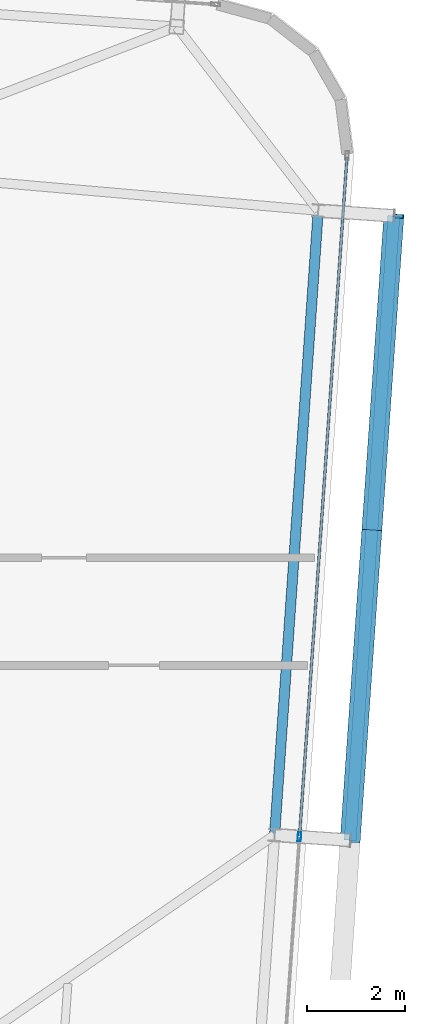
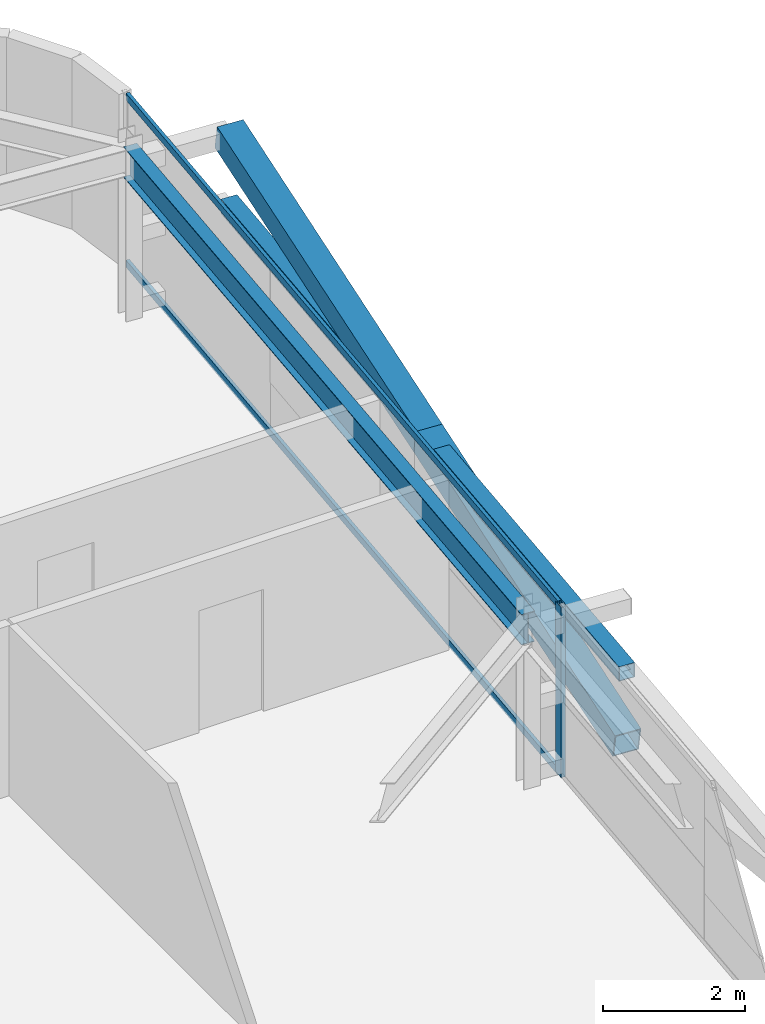
# One storey, part 17 of 39: 6 members, 1 beam, 1 element without a shape of its own.
"""IFC4 building model written with IfcOpenShell, lengths in metres."""

from ifc_helpers import new_model, si_unit, direction, frame, origin, origin_2d, place, context, subcontext, project, spatial, hollow_rectangle, i_section, extrude, source, transform, mapped, material, layer, layer_set, material_profile, profile_set, type_object, element, aggregate, save


model = new_model("IFC4")

# Units and contexts
model_context = context("Model", 3, precision=1e-05, world=origin(), true_north=direction((0.0, 1.0)))
body_context = subcontext(model_context, "Body", "Model", "MODEL_VIEW")
ifc_project = project(units=[si_unit("LENGTHUNIT", "METRE"), si_unit("AREAUNIT", "SQUARE_METRE"), si_unit("VOLUMEUNIT", "CUBIC_METRE"), si_unit("PLANEANGLEUNIT", "RADIAN"), si_unit("MASSUNIT", "GRAM", prefix="KILO")], contexts=[model_context])

# Site, building, storey
site_placement = place(None, origin())
site = spatial("IfcSite", under=ifc_project, at=site_placement, CompositionType="ELEMENT")
building_placement = place(site_placement, origin())
building = spatial("IfcBuilding", under=site, at=building_placement, Name="Taldren Reach Tower", CompositionType="ELEMENT")
storey_placement = place(building_placement, frame((0.0, 0.0, 129.85009765625)))
storey = spatial("IfcBuildingStorey", under=building, at=storey_placement, Name="L39", CompositionType="ELEMENT", Elevation=129.85009765625)

# Beam
ifc_material_1 = material(Name="Steel Gr 350 (350PLUS)", Category="steel")
ifc_material_profile_1 = material_profile(ifc_material_1, i_section(OverallWidth=0.208984375, OverallDepth=0.528076171875, WebThickness=0.009521484375, FlangeThickness=0.01318359375, at=origin_2d()), Name="530UB82.0")
ifc_profile_set_1 = profile_set([ifc_material_profile_1], Name="Steel Gr 350 (350PLUS)")
beam_type = type_object("IfcBeamType", Name="SP-UB530B", PredefinedType="SPANDREL", material=ifc_profile_set_1)
shared_shape_1 = source(origin(), body_context, "Body", "SweptSolid", [
    extrude(i_section(OverallWidth=0.208984375, OverallDepth=0.528076171875, WebThickness=0.009521484375, FlangeThickness=0.01318359375, at=origin_2d()), origin(), (0.0, 0.0, 1.0), 12.800048828125),
])
beam_placement = place(storey_placement, frame((60.438232421875, 18.331787109375, 2.666015625), z_axis=(0.069751876777, 0.9975643717, 0.0), x_axis=(-0.9975643717, 0.069751876777, 0.0)))
element("IfcBeam", 1, at=beam_placement, inside=storey, type_object=beam_type, Name="Perimeter spandrel B3 E2-E3 L39", PredefinedType="SPANDREL", context=body_context, shape_type="MappedRepresentation", body=[
    mapped(shared_shape_1, transform((0.0, 0.0, 0.0), scale=1.0)),
])

# Members
ifc_material_2 = material(Name="Steel Gr 350 (C350L0)", Category="steel")
ifc_material_profile_2 = material_profile(ifc_material_2, hollow_rectangle(XDim=0.25, YDim=0.25, WallThickness=0.010009765625, at=origin_2d()), Name="250x250x10.0SHS")
ifc_profile_set_2 = profile_set([ifc_material_profile_2], Name="Steel Gr 350 (C350L0)")
member_type_1 = type_object("IfcMemberType", Name="MB-POST250", PredefinedType="POST", material=ifc_profile_set_2)
shared_shape_2 = source(origin(), body_context, "Body", "SweptSolid", [
    extrude(hollow_rectangle(XDim=0.25, YDim=0.25, WallThickness=0.010009765625, at=origin_2d()), origin(), (0.0, 0.0, 1.0), 12.800048828125),
])
member_1_placement = place(storey_placement, frame((61.984375, 18.2236328125, 1.434814453125), z_axis=(0.069770857464, 0.997563044348, 0.0), x_axis=(-0.997563044348, 0.069770857464, 0.0)))
element("IfcMember", 2, at=member_1_placement, inside=storey, type_object=member_type_1, Name="Exoskeleton mid-height ring chord B3-E2 L39", PredefinedType="POST", context=body_context, shape_type="MappedRepresentation", body=[
    mapped(shared_shape_2, transform((0.0, 0.0, 0.0), scale=1.0)),
])
ifc_material_3 = material(Name="Steel Gr 450 (C450L0)", Category="steel")
ifc_material_profile_3 = material_profile(ifc_material_3, hollow_rectangle(XDim=0.409912109375, YDim=0.409912109375, WallThickness=0.01611328125, at=origin_2d()), Name="410x410x16.0SHS")
ifc_profile_set_3 = profile_set([ifc_material_profile_3], Name="Steel Gr 450 (C450L0)")
member_type_2 = type_object("IfcMemberType", Name="MB-EXO406", PredefinedType="BRACE", material=ifc_profile_set_3)
shared_shape_3 = source(origin(), body_context, "Body", "SweptSolid", [
    extrude(hollow_rectangle(XDim=0.409912109375, YDim=0.409912109375, WallThickness=0.01611328125, at=origin_2d()), origin(), (0.0, 0.0, 1.0), 6.514404296875),
])
member_2_placement = place(storey_placement, frame((62.430908203125, 24.60791015625, 1.434814453125), z_axis=(0.068545126831, 0.980056649402, 0.186522195865), x_axis=(-0.997563137195, 0.069769529958, 0.0)))
element("IfcMember", 3, at=member_2_placement, inside=storey, type_object=member_type_2, Name="Exoskeleton Diagrid Brace B3-E2 L39", PredefinedType="BRACE", context=body_context, shape_type="MappedRepresentation", body=[
    mapped(shared_shape_3, transform((0.0, 0.0, 0.0), scale=1.0)),
])
shared_shape_4 = source(origin(), body_context, "Body", "SweptSolid", [
    extrude(hollow_rectangle(XDim=0.409912109375, YDim=0.409912109375, WallThickness=0.01611328125, at=origin_2d()), origin(), (0.0, 0.0, 1.0), 6.51416015625),
])
member_3_placement = place(storey_placement, frame((61.984375, 18.2236328125, 0.219970703125), z_axis=(0.068548123702, 0.980062020128, 0.186492872358), x_axis=(-0.997562951496, 0.069772185021, 0.0)))
element("IfcMember", 4, at=member_3_placement, inside=storey, type_object=member_type_2, Name="Exoskeleton Diagrid Brace B3-E2 L39", PredefinedType="BRACE", context=body_context, shape_type="MappedRepresentation", body=[
    mapped(shared_shape_4, transform((0.0, 0.0, 0.0), scale=1.0)),
])

# Curtain wall, members
ifc_material_4 = material(Name="Aluminium and Low-E Glass Unitised System", Category="aluminium")
ifc_layer = layer(ifc_material_4, 0.159912109375)
ifc_layer_set = layer_set([ifc_layer], Name="Aluminium and Low-E Glass Unitised System")
curtain_wall_type = type_object("IfcCurtainWallType", Name="CW-SYS-4", PredefinedType="NOTDEFINED", material=ifc_layer_set)
curtain_wall_placement = place(storey_placement, origin())
curtain_wall = element("IfcCurtainWall", 5, at=curtain_wall_placement, inside=storey, type_object=curtain_wall_type, Name="Unitised curtain wall CW-L39-E", PredefinedType="NOTDEFINED")
ifc_material_5 = material(Name="Anodised Aluminium 6063-T6", Category="aluminium")
ifc_material_profile_4 = material_profile(ifc_material_5, hollow_rectangle(XDim=0.054931640625, YDim=0.1201171875, WallThickness=0.0029296875, at=origin_2d()), Name="ALU-120x55x3RHS")
ifc_profile_set_4 = profile_set([ifc_material_profile_4], Name="Anodised Aluminium 6063-T6")
member_type_3 = type_object("IfcMemberType", Name="CW-TRN-135", PredefinedType="USERDEFINED", material=ifc_profile_set_4)
shared_shape_5 = source(origin(), body_context, "Body", "SweptSolid", [
    extrude(hollow_rectangle(XDim=0.054931640625, YDim=0.1201171875, WallThickness=0.0029296875, at=origin_2d()), origin(), (0.0, 0.0, 1.0), 13.89501953125),
])
member_4_placement = place(storey_placement, frame((60.949462890625, 18.3310546875, 0.02734375), z_axis=(0.069754817075, 0.997564166104, 0.0), x_axis=(-0.997564166104, 0.069754817075, 0.0)))
member_4 = element("IfcMember", 6, at=member_4_placement, type_object=member_type_3, Name="CW-4 transom 2.1", ObjectType="TRANSOM", PredefinedType="USERDEFINED", context=body_context, shape_type="MappedRepresentation", body=[
    mapped(shared_shape_5, transform((0.0, 0.0, 0.0), scale=1.0)),
])
member_5_placement = place(storey_placement, frame((60.949462890625, 18.3310546875, 2.90234375), z_axis=(0.069754817075, 0.997564166104, 0.0), x_axis=(-0.997564166104, 0.069754817075, 0.0)))
member_5 = element("IfcMember", 7, at=member_5_placement, type_object=member_type_3, Name="CW-4 transom 2.2", ObjectType="TRANSOM", PredefinedType="USERDEFINED", context=body_context, shape_type="MappedRepresentation", body=[
    mapped(shared_shape_5, transform((0.0, 0.0, 0.0), scale=1.0)),
])
ifc_material_profile_5 = material_profile(ifc_material_5, hollow_rectangle(XDim=0.070068359375, YDim=0.179931640625, WallThickness=0.00390625, at=origin_2d()), Name="ALU-180x70x4RHS")
ifc_profile_set_5 = profile_set([ifc_material_profile_5], Name="Anodised Aluminium 6063-T6")
member_type_4 = type_object("IfcMemberType", Name="CW-MUL-180", PredefinedType="MULLION", material=ifc_profile_set_5)
shared_shape_6 = source(origin(), body_context, "Body", "SweptSolid", [
    extrude(hollow_rectangle(XDim=0.070068359375, YDim=0.179931640625, WallThickness=0.00390625, at=origin_2d()), origin(), (0.0, 0.0, 1.0), 2.929931640625),
])
member_6_placement = place(storey_placement, frame((60.947021484375, 18.296142578125, 0.0), z_axis=(0.0, 0.0, 1.0), x_axis=(-0.997564052812, 0.069756437251, 0.0)))
member_6 = element("IfcMember", 8, at=member_6_placement, type_object=member_type_4, Name="CW-4 mullion 2", PredefinedType="MULLION", context=body_context, shape_type="MappedRepresentation", body=[
    mapped(shared_shape_6, transform((0.0, 0.0, 0.0), scale=1.0)),
])
aggregate(curtain_wall, [member_6, member_4, member_5])

save(model, "model.ifc")
